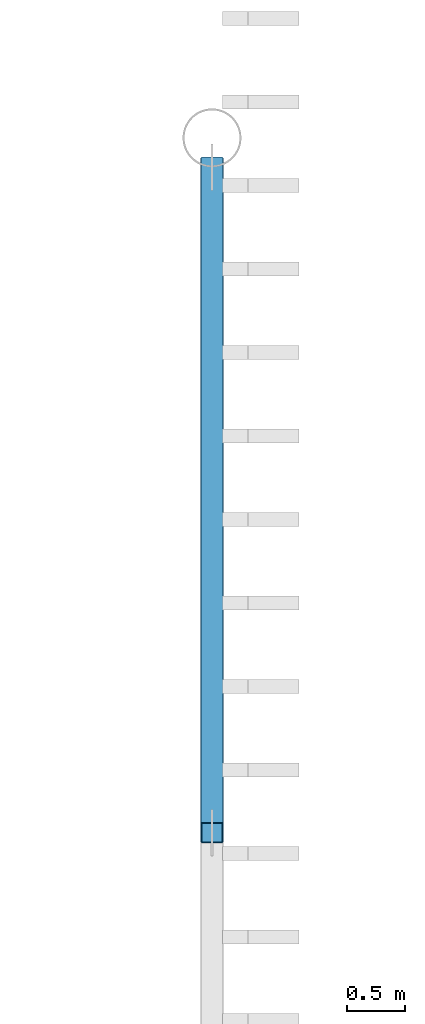
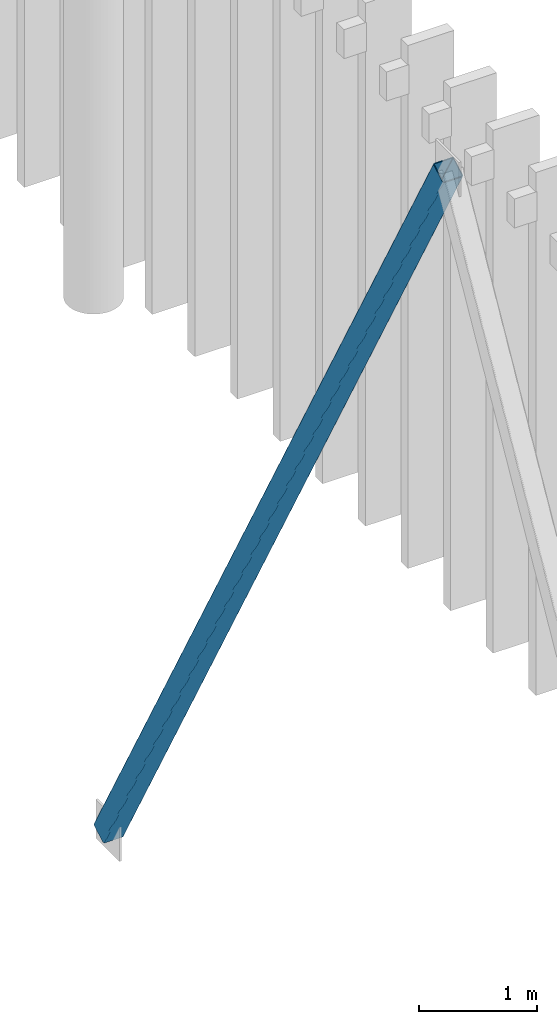
# One storey, part 42 of 170: 1 member.
"""IFC4 building model written with IfcOpenShell, lengths in metres."""

from ifc_helpers import new_model, si_unit, direction, frame, origin, origin_2d, place, context, subcontext, project, spatial, hollow_rectangle, extrude, material, material_profile, profile_set, type_object, element, save


model = new_model("IFC4")

# Units and contexts
model_context = context("Model", 3, precision=1e-05, world=origin(), true_north=direction((0.0, 1.0)))
body_context = subcontext(model_context, "Body", "Model", "MODEL_VIEW")
ifc_project = project(units=[si_unit("LENGTHUNIT", "METRE"), si_unit("AREAUNIT", "SQUARE_METRE"), si_unit("VOLUMEUNIT", "CUBIC_METRE"), si_unit("PLANEANGLEUNIT", "RADIAN"), si_unit("MASSUNIT", "GRAM", prefix="KILO")], contexts=[model_context])

# Site, building, storey
site_placement = place(None, origin())
site = spatial("IfcSite", under=ifc_project, at=site_placement, CompositionType="ELEMENT")
building_placement = place(site_placement, origin())
building = spatial("IfcBuilding", under=site, at=building_placement, Name="Ravi Spectrum Wholesale Market", CompositionType="ELEMENT")
storey_placement = place(building_placement, frame((0.0, 0.0, 5.39990234375)))
storey = spatial("IfcBuildingStorey", under=building, at=storey_placement, Name="L01", CompositionType="ELEMENT", Elevation=5.39990234375)

# Member
ifc_material = material(Name="Steel S355", Category="steel")
ifc_material_profile = material_profile(ifc_material, hollow_rectangle(XDim=0.199951171875, YDim=0.199951171875, WallThickness=0.008056640625, InnerFilletRadius=0.008056640625, OuterFilletRadius=0.01611328125, at=origin_2d()))
ifc_profile_set = profile_set([ifc_material_profile], Name="Steel S355")
member_type = type_object("IfcMemberType", Name="SHS 200x200x8 brace", PredefinedType="BRACE", material=ifc_profile_set)
member_placement = place(storey_placement, frame((110.0, 77.74609375, -5.350830078125), z_axis=(0.0, -0.487151805571, 0.873317306784), x_axis=(1.0, 0.0, 0.0)))
element("IfcMember", 1, at=member_placement, inside=storey, type_object=member_type, Name="H1-MB-L01-016", PredefinedType="BRACE", context=body_context, shape_type="SweptSolid", body=[
    extrude(hollow_rectangle(XDim=0.199951171875, YDim=0.199951171875, WallThickness=0.008056640625, InnerFilletRadius=0.008056640625, OuterFilletRadius=0.01611328125, at=origin_2d()), origin(), (0.0, 0.0, 1.0), 11.795166015625),
])

save(model, "model.ifc")
